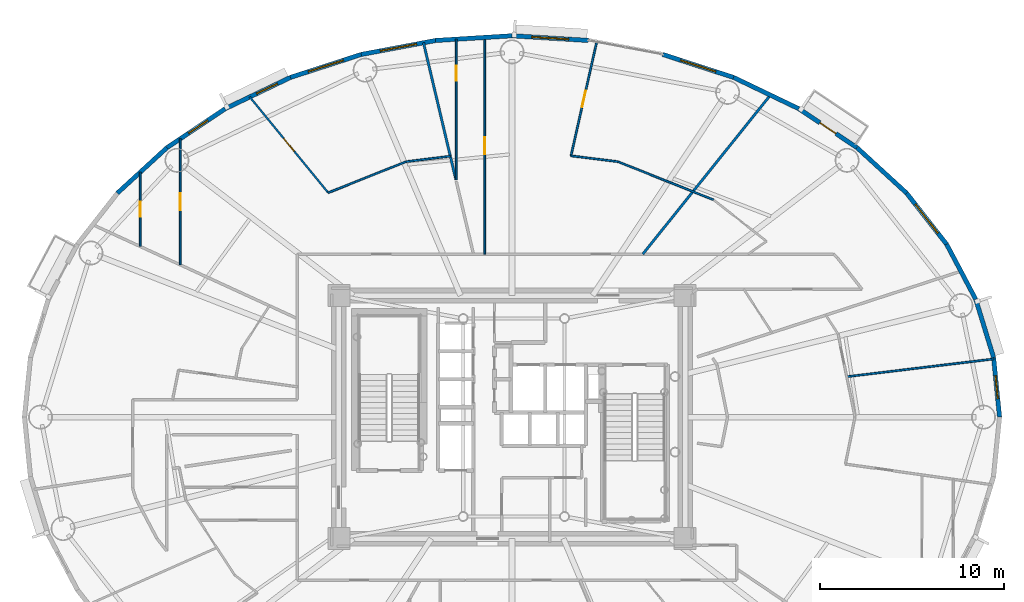
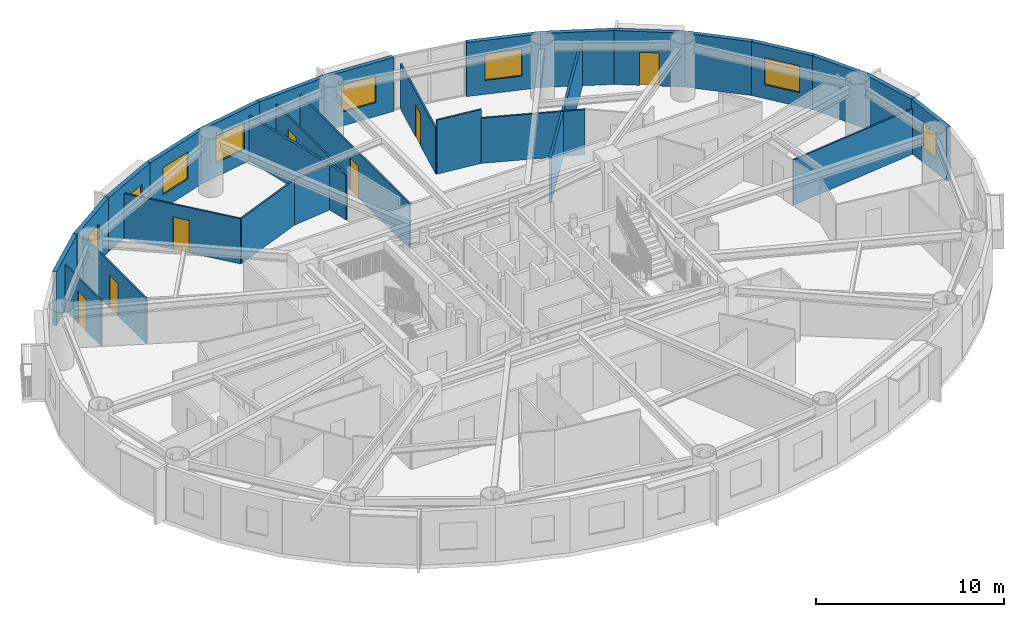
# One storey, part 12 of 20: 28 walls, 8 windows, 7 doors, 15 openings.
"""IFC4 building model written with IfcOpenShell, lengths in metres."""

from ifc_helpers import new_model, si_unit, direction, frame, frame_2d, origin, origin_2d, place, context, subcontext, project, spatial, rectangle, extrude, source, transform, mapped, material, layer, layer_set, type_object, element, fill, save


model = new_model("IFC4")

# Units and contexts
model_context = context("Model", 3, precision=1e-05, world=origin(), true_north=direction((0.0, 1.0)))
body_context = subcontext(model_context, "Body", "Model", "MODEL_VIEW")
ifc_project = project(units=[si_unit("LENGTHUNIT", "METRE"), si_unit("AREAUNIT", "SQUARE_METRE"), si_unit("VOLUMEUNIT", "CUBIC_METRE"), si_unit("PLANEANGLEUNIT", "RADIAN"), si_unit("MASSUNIT", "GRAM", prefix="KILO")], contexts=[model_context])

# Site, building, storey
site_placement = place(None, origin())
site = spatial("IfcSite", under=ifc_project, at=site_placement, CompositionType="ELEMENT")
building_placement = place(site_placement, origin())
building = spatial("IfcBuilding", under=site, at=building_placement, Name="Linh Dai School and Residence Tower", CompositionType="ELEMENT")
storey_placement = place(building_placement, frame((0.0, 0.0, 163.64990234375)))
storey = spatial("IfcBuildingStorey", under=building, at=storey_placement, Name="L39", CompositionType="ELEMENT", Elevation=163.64990234375)

# Wall, opening, window
ifc_material_1 = material(Name="Precast Concrete B45 (C35/45)", Category="concrete")
ifc_layer_1 = layer(ifc_material_1, 0.239990234375)
ifc_layer_set_1 = layer_set([ifc_layer_1], Name="Precast Concrete B45 (C35/45)")
wall_type_1 = type_object("IfcWallType", Name="EW-TC-240", PredefinedType="SOLIDWALL", material=ifc_layer_set_1)
wall_1_placement = place(storey_placement, frame((62.14990234375, 30.233642578125, 0.0), z_axis=(0.0, 0.0, 1.0), x_axis=(0.100061534614, -0.994981250723, 0.0)))
wall_1 = element("IfcWall", 1, at=wall_1_placement, inside=storey, type_object=wall_type_1, Name="L39 Terracotta Exterior Wall 01", PredefinedType="SOLIDWALL", context=body_context, shape_type="SweptSolid", body=[
    extrude(rectangle(XDim=3.25, YDim=0.239990234375, at=frame_2d((1.625, 0.0))), origin(), (0.0, 0.0, 1.0), 3.5),
])
opening_1_placement = place(wall_1_placement, frame((1.0, 0.0, 0.89990234375)))
opening_1 = element("IfcOpeningElement", 2, at=opening_1_placement, cuts=wall_1, Name="Opening W3", PredefinedType="OPENING", context=body_context, shape_type="SweptSolid", body=[
    extrude(rectangle(XDim=1.25, YDim=1.64990234375, at=origin_2d()), frame((0.625, 0.1298828125, 0.824951171875), z_axis=(0.0, -1.0, 0.0), x_axis=(1.0, 0.0, 0.0)), (0.0, 0.0, 1.0), 0.260009765625),
])
ifc_material_2 = material(Name="Double Low-E Insulated Glazing", Category="glass")
window_type_1 = type_object("IfcWindowType", Name="WN-RES-1250x1650", PartitioningType="SINGLE_PANEL", PredefinedType="WINDOW", material=ifc_material_2)
shared_shape_1 = source(origin(), body_context, "Body", "SweptSolid", [
    extrude(rectangle(XDim=1.25, YDim=1.64990234375, at=origin_2d()), frame((0.625, 0.030029296875, 0.824951171875), z_axis=(0.0, -1.0, 0.0), x_axis=(1.0, 0.0, 0.0)), (0.0, 0.0, 1.0), 0.06005859375),
])
window_1_placement = place(opening_1_placement, origin())
window_1 = element("IfcWindow", 3, at=window_1_placement, inside=storey, type_object=window_type_1, Name="L39 Dwelling Window U3908-BD1", OverallHeight=1.64990234375, OverallWidth=1.25, PartitioningType="SINGLE_PANEL", PredefinedType="WINDOW", context=body_context, shape_type="MappedRepresentation", body=[
    mapped(shared_shape_1, transform((0.0, 0.0, 0.0), x_axis=(1.0, 0.0, 0.0), y_axis=(0.0, 1.0, 0.0), z_axis=(0.0, 0.0, 1.0), scale=1.0)),
])
fill(opening_1, window_1)

# Walls
wall_2_placement = place(storey_placement, frame((61.1826171875, 33.388916015625, 0.0), z_axis=(0.0, 0.0, 1.0), x_axis=(0.293097995113, -0.956082405058, 0.0)))
element("IfcWall", 4, at=wall_2_placement, inside=storey, type_object=wall_type_1, Name="L39 Terracotta Exterior Wall 02", PredefinedType="SOLIDWALL", context=body_context, shape_type="SweptSolid", body=[
    extrude(rectangle(XDim=3.30029296875, YDim=0.239990234375, at=frame_2d((1.650146484375, 0.0))), origin(), (0.0, 0.0, 1.0), 3.5),
])
wall_3_placement = place(storey_placement, frame((59.595947265625, 36.388427734375, 0.0), z_axis=(0.0, 0.0, 1.0), x_axis=(0.467586874938, -0.88394712194, 0.0)))
element("IfcWall", 5, at=wall_3_placement, inside=storey, type_object=wall_type_1, Name="L39 Terracotta Exterior Wall 03", PredefinedType="SOLIDWALL", context=body_context, shape_type="SweptSolid", body=[
    extrude(rectangle(XDim=3.393310546875, YDim=0.239990234375, at=frame_2d((1.69677734375, 0.0))), origin(), (0.0, 0.0, 1.0), 3.5),
])

# Wall, opening, window
wall_4_placement = place(storey_placement, frame((57.42822265625, 39.158447265625, 0.0), z_axis=(0.0, 0.0, 1.0), x_axis=(0.616287674549, -0.787521112224, 0.0)))
wall_4 = element("IfcWall", 6, at=wall_4_placement, inside=storey, type_object=wall_type_1, Name="L39 Terracotta Exterior Wall 04", PredefinedType="SOLIDWALL", context=body_context, shape_type="SweptSolid", body=[
    extrude(rectangle(XDim=3.517333984375, YDim=0.239990234375, at=frame_2d((1.7587890625, 0.0))), origin(), (0.0, 0.0, 1.0), 3.5),
])
opening_2_placement = place(wall_4_placement, frame((0.758544921875, 0.0, 0.89990234375)))
opening_2 = element("IfcOpeningElement", 7, at=opening_2_placement, cuts=wall_4, Name="Opening W1", PredefinedType="OPENING", context=body_context, shape_type="SweptSolid", body=[
    extrude(rectangle(XDim=2.0, YDim=1.75, at=origin_2d()), frame((1.0, 0.1298828125, 0.875), z_axis=(0.0, -1.0, 0.0), x_axis=(1.0, 0.0, 0.0)), (0.0, 0.0, 1.0), 0.260009765625),
])
window_type_2 = type_object("IfcWindowType", Name="WN-RES-2000x1750", PartitioningType="DOUBLE_PANEL_VERTICAL", PredefinedType="WINDOW", material=ifc_material_2)
shared_shape_2 = source(origin(), body_context, "Body", "SweptSolid", [
    extrude(rectangle(XDim=2.0, YDim=1.75, at=origin_2d()), frame((1.0, 0.030029296875, 0.875), z_axis=(0.0, -1.0, 0.0), x_axis=(1.0, 0.0, 0.0)), (0.0, 0.0, 1.0), 0.06005859375),
])
window_2_placement = place(opening_2_placement, origin())
window_2 = element("IfcWindow", 8, at=window_2_placement, inside=storey, type_object=window_type_2, Name="L39 Exterior Window 04.1", OverallHeight=1.75, OverallWidth=2.0, PartitioningType="DOUBLE_PANEL_VERTICAL", PredefinedType="WINDOW", context=body_context, shape_type="MappedRepresentation", body=[
    mapped(shared_shape_2, transform((0.0, 0.0, 0.0), x_axis=(1.0, 0.0, 0.0), y_axis=(0.0, 1.0, 0.0), z_axis=(0.0, 0.0, 1.0), scale=1.0)),
])
fill(opening_2, window_2)

# Wall
wall_5_placement = place(storey_placement, frame((54.73193359375, 41.630615234375, 0.0), z_axis=(0.0, 0.0, 1.0), x_axis=(0.737076565834, -0.675809245349, 0.0)))
element("IfcWall", 9, at=wall_5_placement, inside=storey, type_object=wall_type_1, Name="L39 Terracotta Exterior Wall 05", PredefinedType="SOLIDWALL", context=body_context, shape_type="SweptSolid", body=[
    extrude(rectangle(XDim=3.658203125, YDim=0.239990234375, at=frame_2d((1.8291015625, 0.0))), origin(), (0.0, 0.0, 1.0), 3.5),
])

# Wall, opening, door
wall_6_placement = place(storey_placement, frame((51.5732421875, 43.7431640625, 0.0), z_axis=(0.0, 0.0, 1.0), x_axis=(0.831228998277, -0.555930168657, 0.0)))
wall_6 = element("IfcWall", 10, at=wall_6_placement, inside=storey, type_object=wall_type_1, Name="L39 Terracotta Exterior Wall 06", PredefinedType="SOLIDWALL", context=body_context, shape_type="SweptSolid", body=[
    extrude(rectangle(XDim=3.800048828125, YDim=0.239990234375, at=frame_2d((1.89990234375, 0.0))), origin(), (0.0, 0.0, 1.0), 3.5),
])
opening_3_placement = place(wall_6_placement, frame((1.375, 0.0, 0.0)))
opening_3 = element("IfcOpeningElement", 11, at=opening_3_placement, cuts=wall_6, Name="Opening BD1", PredefinedType="OPENING", context=body_context, shape_type="SweptSolid", body=[
    extrude(rectangle(XDim=1.050048828125, YDim=2.14990234375, at=origin_2d()), frame((0.52490234375, 0.1298828125, 1.074951171875), z_axis=(0.0, -1.0, 0.0), x_axis=(1.0, 0.0, 0.0)), (0.0, 0.0, 1.0), 0.260009765625),
])
ifc_material_3 = material(Name="Double-Glazed Balcony Door", Category="glass")
door_type_1 = type_object("IfcDoorType", Name="DR-BALC-1050x2150", OperationType="NOTDEFINED", PredefinedType="DOOR", material=ifc_material_3)
shared_shape_3 = source(origin(), body_context, "Body", "SweptSolid", [
    extrude(rectangle(XDim=1.050048828125, YDim=2.14990234375, at=origin_2d()), frame((0.52490234375, 0.02490234375, 1.074951171875), z_axis=(0.0, -1.0, 0.0), x_axis=(1.0, 0.0, 0.0)), (0.0, 0.0, 1.0), 0.050048828125),
])
door_1_placement = place(opening_3_placement, origin())
door_1 = element("IfcDoor", 12, at=door_1_placement, inside=storey, type_object=door_type_1, Name="L39 Glazed Balcony Door 06", OperationType="SINGLE_SWING_LEFT", OverallHeight=2.14990234375, OverallWidth=1.050048828125, PredefinedType="DOOR", context=body_context, shape_type="MappedRepresentation", body=[
    mapped(shared_shape_3, transform((0.0, 0.0, 0.0), x_axis=(1.0, 0.0, 0.0), y_axis=(0.0, 1.0, 0.0), z_axis=(0.0, 0.0, 1.0), scale=1.0)),
])
fill(opening_3, door_1)

# Wall
wall_7_placement = place(storey_placement, frame((48.02978515625, 45.443603515625, 0.0), z_axis=(0.0, 0.0, 1.0), x_axis=(0.901564733809, -0.432644231155, 0.0)))
element("IfcWall", 13, at=wall_7_placement, inside=storey, type_object=wall_type_1, Name="L39 Terracotta Exterior Wall 07", PredefinedType="SOLIDWALL", context=body_context, shape_type="SweptSolid", body=[
    extrude(rectangle(XDim=3.930419921875, YDim=0.239990234375, at=frame_2d((1.96533203125, 0.0))), origin(), (0.0, 0.0, 1.0), 3.5),
])

# Wall, opening, window
wall_8_placement = place(storey_placement, frame((44.18896484375, 46.689453125, 0.0), z_axis=(0.0, 0.0, 1.0), x_axis=(0.951209870236, -0.30854462038, 0.0)))
wall_8 = element("IfcWall", 14, at=wall_8_placement, inside=storey, type_object=wall_type_1, Name="L39 Terracotta Exterior Wall 08", PredefinedType="SOLIDWALL", context=body_context, shape_type="SweptSolid", body=[
    extrude(rectangle(XDim=4.037841796875, YDim=0.239990234375, at=frame_2d((2.01904296875, 0.0))), origin(), (0.0, 0.0, 1.0), 3.5),
])
opening_4_placement = place(wall_8_placement, frame((1.018798828125, 0.0, 0.89990234375)))
opening_4 = element("IfcOpeningElement", 15, at=opening_4_placement, cuts=wall_8, Name="Opening W1", PredefinedType="OPENING", context=body_context, shape_type="SweptSolid", body=[
    extrude(rectangle(XDim=2.0, YDim=1.75, at=origin_2d()), frame((1.0, 0.1298828125, 0.875), z_axis=(0.0, -1.0, 0.0), x_axis=(1.0, 0.0, 0.0)), (0.0, 0.0, 1.0), 0.260009765625),
])
window_3_placement = place(opening_4_placement, origin())
window_3 = element("IfcWindow", 16, at=window_3_placement, inside=storey, type_object=window_type_2, Name="L39 Exterior Window 08.1", OverallHeight=1.75, OverallWidth=2.0, PartitioningType="DOUBLE_PANEL_VERTICAL", PredefinedType="WINDOW", context=body_context, shape_type="MappedRepresentation", body=[
    mapped(shared_shape_2, transform((0.0, 0.0, 0.0), x_axis=(1.0, 0.0, 0.0), y_axis=(0.0, 1.0, 0.0), z_axis=(0.0, 0.0, 1.0), scale=1.0)),
])
fill(opening_4, window_3)

wall_9_placement = place(storey_placement, frame((36.0, 47.705078125, 0.0), z_axis=(0.0, 0.0, 1.0), x_axis=(0.998104600619, -0.061540281305, 0.0)))
wall_9 = element("IfcWall", 17, at=wall_9_placement, inside=storey, type_object=wall_type_1, Name="L39 Terracotta Exterior Wall 10", PredefinedType="SOLIDWALL", context=body_context, shape_type="SweptSolid", body=[
    extrude(rectangle(XDim=4.153564453125, YDim=0.239990234375, at=frame_2d((2.07666015625, 0.0))), origin(), (0.0, 0.0, 1.0), 3.5),
])
opening_5_placement = place(wall_9_placement, frame((1.076904296875, 0.0, 0.89990234375)))
opening_5 = element("IfcOpeningElement", 18, at=opening_5_placement, cuts=wall_9, Name="Opening W1", PredefinedType="OPENING", context=body_context, shape_type="SweptSolid", body=[
    extrude(rectangle(XDim=2.0, YDim=1.75, at=origin_2d()), frame((1.0, 0.1298828125, 0.875), z_axis=(0.0, -1.0, 0.0), x_axis=(1.0, 0.0, 0.0)), (0.0, 0.0, 1.0), 0.260009765625),
])
window_4_placement = place(opening_5_placement, origin())
window_4 = element("IfcWindow", 19, at=window_4_placement, inside=storey, type_object=window_type_2, Name="L39 Exterior Window 10.1", OverallHeight=1.75, OverallWidth=2.0, PartitioningType="DOUBLE_PANEL_VERTICAL", PredefinedType="WINDOW", context=body_context, shape_type="MappedRepresentation", body=[
    mapped(shared_shape_2, transform((0.0, 0.0, 0.0), x_axis=(1.0, 0.0, 0.0), y_axis=(0.0, 1.0, 0.0), z_axis=(0.0, 0.0, 1.0), scale=1.0)),
])
fill(opening_5, window_4)

# Wall
wall_10_placement = place(storey_placement, frame((31.854248046875, 47.449462890625, 0.0), z_axis=(0.0, 0.0, 1.0), x_axis=(0.998104600619, 0.061540281305, 0.0)))
element("IfcWall", 20, at=wall_10_placement, inside=storey, type_object=wall_type_1, Name="L39 Terracotta Exterior Wall 11", PredefinedType="SOLIDWALL", context=body_context, shape_type="SweptSolid", body=[
    extrude(rectangle(XDim=4.153564453125, YDim=0.239990234375, at=frame_2d((2.07666015625, 0.0))), origin(), (0.0, 0.0, 1.0), 3.5),
])

# Wall, opening, window
wall_11_placement = place(storey_placement, frame((27.81103515625, 46.689453125, 0.0), z_axis=(0.0, 0.0, 1.0), x_axis=(0.982788108205, 0.184736391573, 0.0)))
wall_11 = element("IfcWall", 21, at=wall_11_placement, inside=storey, type_object=wall_type_1, Name="L39 Terracotta Exterior Wall 12", PredefinedType="SOLIDWALL", context=body_context, shape_type="SweptSolid", body=[
    extrude(rectangle(XDim=4.114013671875, YDim=0.239990234375, at=frame_2d((2.05712890625, 0.0))), origin(), (0.0, 0.0, 1.0), 3.5),
])
opening_6_placement = place(wall_11_placement, frame((1.05712890625, 0.0, 0.89990234375)))
opening_6 = element("IfcOpeningElement", 22, at=opening_6_placement, cuts=wall_11, Name="Opening W1", PredefinedType="OPENING", context=body_context, shape_type="SweptSolid", body=[
    extrude(rectangle(XDim=2.0, YDim=1.75, at=origin_2d()), frame((1.0, 0.1298828125, 0.875), z_axis=(0.0, -1.0, 0.0), x_axis=(1.0, 0.0, 0.0)), (0.0, 0.0, 1.0), 0.260009765625),
])
window_5_placement = place(opening_6_placement, origin())
window_5 = element("IfcWindow", 23, at=window_5_placement, inside=storey, type_object=window_type_2, Name="L39 Exterior Window 12.1", OverallHeight=1.75, OverallWidth=2.0, PartitioningType="DOUBLE_PANEL_VERTICAL", PredefinedType="WINDOW", context=body_context, shape_type="MappedRepresentation", body=[
    mapped(shared_shape_2, transform((0.0, 0.0, 0.0), x_axis=(1.0, 0.0, 0.0), y_axis=(0.0, 1.0, 0.0), z_axis=(0.0, 0.0, 1.0), scale=1.0)),
])
fill(opening_6, window_5)

wall_12_placement = place(storey_placement, frame((23.97021484375, 45.443603515625, 0.0), z_axis=(0.0, 0.0, 1.0), x_axis=(0.951209870236, 0.30854462038, 0.0)))
wall_12 = element("IfcWall", 24, at=wall_12_placement, inside=storey, type_object=wall_type_1, Name="L39 Terracotta Exterior Wall 13", PredefinedType="SOLIDWALL", context=body_context, shape_type="SweptSolid", body=[
    extrude(rectangle(XDim=4.037841796875, YDim=0.239990234375, at=frame_2d((2.01904296875, 0.0))), origin(), (0.0, 0.0, 1.0), 3.5),
])
opening_7_placement = place(wall_12_placement, frame((1.01904296875, 0.0, 0.89990234375)))
opening_7 = element("IfcOpeningElement", 25, at=opening_7_placement, cuts=wall_12, Name="Opening W1", PredefinedType="OPENING", context=body_context, shape_type="SweptSolid", body=[
    extrude(rectangle(XDim=2.0, YDim=1.75, at=origin_2d()), frame((1.0, 0.1298828125, 0.875), z_axis=(0.0, -1.0, 0.0), x_axis=(1.0, 0.0, 0.0)), (0.0, 0.0, 1.0), 0.260009765625),
])
window_6_placement = place(opening_7_placement, origin())
window_6 = element("IfcWindow", 26, at=window_6_placement, inside=storey, type_object=window_type_2, Name="L39 Exterior Window 13.1", OverallHeight=1.75, OverallWidth=2.0, PartitioningType="DOUBLE_PANEL_VERTICAL", PredefinedType="WINDOW", context=body_context, shape_type="MappedRepresentation", body=[
    mapped(shared_shape_2, transform((0.0, 0.0, 0.0), x_axis=(1.0, 0.0, 0.0), y_axis=(0.0, 1.0, 0.0), z_axis=(0.0, 0.0, 1.0), scale=1.0)),
])
fill(opening_7, window_6)

wall_13_placement = place(storey_placement, frame((20.4267578125, 43.7431640625, 0.0), z_axis=(0.0, 0.0, 1.0), x_axis=(0.901564733809, 0.432644231155, 0.0)))
wall_13 = element("IfcWall", 27, at=wall_13_placement, inside=storey, type_object=wall_type_1, Name="L39 Terracotta Exterior Wall 14", PredefinedType="SOLIDWALL", context=body_context, shape_type="SweptSolid", body=[
    extrude(rectangle(XDim=3.930419921875, YDim=0.239990234375, at=frame_2d((1.96533203125, 0.0))), origin(), (0.0, 0.0, 1.0), 3.5),
])
opening_8_placement = place(wall_13_placement, frame((1.900390625, 0.0, 0.89990234375)))
opening_8 = element("IfcOpeningElement", 28, at=opening_8_placement, cuts=wall_13, Name="Opening W3", PredefinedType="OPENING", context=body_context, shape_type="SweptSolid", body=[
    extrude(rectangle(XDim=1.25, YDim=1.64990234375, at=origin_2d()), frame((0.625, 0.1298828125, 0.824951171875), z_axis=(0.0, -1.0, 0.0), x_axis=(1.0, 0.0, 0.0)), (0.0, 0.0, 1.0), 0.260009765625),
])
window_7_placement = place(opening_8_placement, origin())
window_7 = element("IfcWindow", 29, at=window_7_placement, inside=storey, type_object=window_type_1, Name="L39 Exterior Window 14.1", OverallHeight=1.64990234375, OverallWidth=1.25, PartitioningType="SINGLE_PANEL", PredefinedType="WINDOW", context=body_context, shape_type="MappedRepresentation", body=[
    mapped(shared_shape_1, transform((0.0, 0.0, 0.0), x_axis=(1.0, 0.0, 0.0), y_axis=(0.0, 1.0, 0.0), z_axis=(0.0, 0.0, 1.0), scale=1.0)),
])
fill(opening_8, window_7)

wall_14_placement = place(storey_placement, frame((17.26806640625, 41.630615234375, 0.0), z_axis=(0.0, 0.0, 1.0), x_axis=(0.831228998277, 0.555930168657, 0.0)))
wall_14 = element("IfcWall", 30, at=wall_14_placement, inside=storey, type_object=wall_type_1, Name="L39 Terracotta Exterior Wall 15", PredefinedType="SOLIDWALL", context=body_context, shape_type="SweptSolid", body=[
    extrude(rectangle(XDim=3.800048828125, YDim=0.239990234375, at=frame_2d((1.89990234375, 0.0))), origin(), (0.0, 0.0, 1.0), 3.5),
])
opening_9_placement = place(wall_14_placement, frame((1.4052734375, 0.0, 0.89990234375)))
opening_9 = element("IfcOpeningElement", 31, at=opening_9_placement, cuts=wall_14, Name="Opening W3", PredefinedType="OPENING", context=body_context, shape_type="SweptSolid", body=[
    extrude(rectangle(XDim=1.25, YDim=1.64990234375, at=origin_2d()), frame((0.625, 0.1298828125, 0.824951171875), z_axis=(0.0, -1.0, 0.0), x_axis=(1.0, 0.0, 0.0)), (0.0, 0.0, 1.0), 0.260009765625),
])
window_8_placement = place(opening_9_placement, origin())
window_8 = element("IfcWindow", 32, at=window_8_placement, inside=storey, type_object=window_type_1, Name="L39 Dwelling Window U3903-LIV", OverallHeight=1.64990234375, OverallWidth=1.25, PartitioningType="SINGLE_PANEL", PredefinedType="WINDOW", context=body_context, shape_type="MappedRepresentation", body=[
    mapped(shared_shape_1, transform((0.0, 0.0, 0.0), x_axis=(1.0, 0.0, 0.0), y_axis=(0.0, 1.0, 0.0), z_axis=(0.0, 0.0, 1.0), scale=1.0)),
])
fill(opening_9, window_8)

# Walls
wall_15_placement = place(storey_placement, frame((14.57177734375, 39.158447265625, 0.0), z_axis=(0.0, 0.0, 1.0), x_axis=(0.737076565834, 0.675809245349, 0.0)))
element("IfcWall", 33, at=wall_15_placement, inside=storey, type_object=wall_type_1, Name="L39 Terracotta Exterior Wall 16", PredefinedType="SOLIDWALL", context=body_context, shape_type="SweptSolid", body=[
    extrude(rectangle(XDim=3.658203125, YDim=0.239990234375, at=frame_2d((1.8291015625, 0.0))), origin(), (0.0, 0.0, 1.0), 3.5),
])
ifc_material_4 = material(Name="Autoclaved Aerated Concrete Blockwork", Category="masonry")
ifc_layer_2 = layer(ifc_material_4, 0.135009765625)
ifc_layer_set_2 = layer_set([ifc_layer_2], Name="Autoclaved Aerated Concrete Blockwork")
wall_type_2 = type_object("IfcWallType", Name="IW-CORR-135-EI90", PredefinedType="PARTITIONING", material=ifc_layer_set_2)
wall_16_placement = place(storey_placement, frame((31.193603515625, 47.330322265625, 0.0), z_axis=(0.0, 0.0, 1.0), x_axis=(0.230064999041, -0.973175264902, 0.0)))
element("IfcWall", 34, at=wall_16_placement, inside=storey, type_object=wall_type_2, Name="L39 Interior Partition Wall 035", PredefinedType="PARTITIONING", context=body_context, shape_type="SweptSolid", body=[
    extrude(rectangle(XDim=7.654296875, YDim=0.135009765625, at=frame_2d((3.8271484375, 0.0))), origin(), (0.0, 0.0, 1.0), 2.93505859375),
])
wall_17_placement = place(storey_placement, frame((43.10205078125, 35.85009765625, 0.0), z_axis=(0.0, 0.0, 1.0), x_axis=(0.62588794771, 0.779912993168, 0.0)))
element("IfcWall", 35, at=wall_17_placement, inside=storey, type_object=wall_type_2, Name="L39 Interior Partition Wall 078", PredefinedType="PARTITIONING", context=body_context, shape_type="SweptSolid", body=[
    extrude(rectangle(XDim=11.074951171875, YDim=0.135009765625, at=frame_2d((5.53759765625, 0.0))), origin(), (0.0, 0.0, 1.0), 2.93505859375),
])

# Wall, opening, door
ifc_material_5 = material(Name="Gypsum Plasterboard Acoustic Stud Partition", Category="masonry")
ifc_layer_3 = layer(ifc_material_5, 0.10009765625)
ifc_layer_set_3 = layer_set([ifc_layer_3], Name="Gypsum Plasterboard Acoustic Stud Partition")
wall_type_3 = type_object("IfcWallType", Name="IW-UNIT-100", PredefinedType="PARTITIONING", material=ifc_layer_set_3)
wall_18_placement = place(storey_placement, frame((15.81494140625, 36.262939453125, 0.0), z_axis=(0.0, 0.0, 1.0), x_axis=(0.0, 1.0, 0.0)))
wall_18 = element("IfcWall", 36, at=wall_18_placement, inside=storey, type_object=wall_type_3, Name="L39 Interior Partition Wall 008", PredefinedType="PARTITIONING", context=body_context, shape_type="SweptSolid", body=[
    extrude(rectangle(XDim=4.0419921875, YDim=0.10009765625, at=frame_2d((2.02099609375, 0.0))), origin(), (0.0, 0.0, 1.0), 2.93505859375),
])
opening_10_placement = place(wall_18_placement, frame((1.611083984375, 0.0, 0.0)))
opening_10 = element("IfcOpeningElement", 37, at=opening_10_placement, cuts=wall_18, Name="Opening D06", PredefinedType="OPENING", context=body_context, shape_type="SweptSolid", body=[
    extrude(rectangle(XDim=0.820068359375, YDim=2.10009765625, at=origin_2d()), frame((0.41015625, 0.06005859375, 1.050048828125), z_axis=(0.0, -1.0, 0.0), x_axis=(1.0, 0.0, 0.0)), (0.0, 0.0, 1.0), 0.1201171875),
])
ifc_material_6 = material(Name="Moisture-Resistant Timber Bathroom Door", Category="wood")
door_type_2 = type_object("IfcDoorType", Name="DR-WET-820x2100", OperationType="NOTDEFINED", PredefinedType="DOOR", material=ifc_material_6)
shared_shape_4 = source(origin(), body_context, "Body", "SweptSolid", [
    extrude(rectangle(XDim=0.820068359375, YDim=2.10009765625, at=origin_2d()), frame((0.41015625, 0.02490234375, 1.050048828125), z_axis=(0.0, -1.0, 0.0), x_axis=(1.0, 0.0, 0.0)), (0.0, 0.0, 1.0), 0.050048828125),
])
door_2_placement = place(opening_10_placement, origin())
door_2 = element("IfcDoor", 38, at=door_2_placement, inside=storey, type_object=door_type_2, Name="L39 Apartment U3903 Bathroom 1 Door", OperationType="SINGLE_SWING_RIGHT", OverallHeight=2.10009765625, OverallWidth=0.820068359375, PredefinedType="DOOR", context=body_context, shape_type="MappedRepresentation", body=[
    mapped(shared_shape_4, transform((0.0, 0.0, 0.0), x_axis=(1.0, 0.0, 0.0), y_axis=(0.0, 1.0, 0.0), z_axis=(0.0, 0.0, 1.0), scale=1.0)),
])
fill(opening_10, door_2)

wall_19_placement = place(storey_placement, frame((17.984375, 35.267333984375, 0.0), z_axis=(0.0, 0.0, 1.0), x_axis=(0.0, 1.0, 0.0)))
wall_19 = element("IfcWall", 39, at=wall_19_placement, inside=storey, type_object=wall_type_3, Name="L39 Interior Partition Wall 015", PredefinedType="PARTITIONING", context=body_context, shape_type="SweptSolid", body=[
    extrude(rectangle(XDim=6.848388671875, YDim=0.10009765625, at=frame_2d((3.42431640625, 0.0))), origin(), (0.0, 0.0, 1.0), 2.93505859375),
])
opening_11_placement = place(wall_19_placement, frame((2.97412109375, 0.0, 0.0)))
opening_11 = element("IfcOpeningElement", 40, at=opening_11_placement, cuts=wall_19, Name="Opening D05", PredefinedType="OPENING", context=body_context, shape_type="SweptSolid", body=[
    extrude(rectangle(XDim=0.89990234375, YDim=2.10009765625, at=origin_2d()), frame((0.449951171875, 0.06005859375, 1.050048828125), z_axis=(0.0, -1.0, 0.0), x_axis=(1.0, 0.0, 0.0)), (0.0, 0.0, 1.0), 0.1201171875),
])
ifc_material_7 = material(Name="Engineered Timber Internal Door", Category="wood")
door_type_3 = type_object("IfcDoorType", Name="DR-INT-900x2100", OperationType="NOTDEFINED", PredefinedType="DOOR", material=ifc_material_7)
shared_shape_5 = source(origin(), body_context, "Body", "SweptSolid", [
    extrude(rectangle(XDim=0.89990234375, YDim=2.10009765625, at=origin_2d()), frame((0.449951171875, 0.02490234375, 1.050048828125), z_axis=(0.0, -1.0, 0.0), x_axis=(1.0, 0.0, 0.0)), (0.0, 0.0, 1.0), 0.050048828125),
])
door_3_placement = place(opening_11_placement, origin())
door_3 = element("IfcDoor", 41, at=door_3_placement, inside=storey, type_object=door_type_3, Name="L39 Apartment U3903 Kitchen Door", OperationType="SINGLE_SWING_LEFT", OverallHeight=2.10009765625, OverallWidth=0.89990234375, PredefinedType="DOOR", context=body_context, shape_type="MappedRepresentation", body=[
    mapped(shared_shape_5, transform((0.0, 0.0, 0.0), x_axis=(1.0, 0.0, 0.0), y_axis=(0.0, 1.0, 0.0), z_axis=(0.0, 0.0, 1.0), scale=1.0)),
])
fill(opening_11, door_3)

wall_20_placement = place(storey_placement, frame((21.75634765625, 44.38671875, 0.0), z_axis=(0.0, 0.0, 1.0), x_axis=(0.633727642201, -0.773556252325, 0.0)))
wall_20 = element("IfcWall", 42, at=wall_20_placement, inside=storey, type_object=wall_type_3, Name="L39 Interior Partition Wall 022", PredefinedType="PARTITIONING", context=body_context, shape_type="SweptSolid", body=[
    extrude(rectangle(XDim=6.72900390625, YDim=0.10009765625, at=frame_2d((3.364501953125, 0.0))), origin(), (0.0, 0.0, 1.0), 2.93505859375),
])
opening_12_placement = place(wall_20_placement, frame((2.91455078125, 0.0, 0.0)))
opening_12 = element("IfcOpeningElement", 43, at=opening_12_placement, cuts=wall_20, Name="Opening D05", PredefinedType="OPENING", context=body_context, shape_type="SweptSolid", body=[
    extrude(rectangle(XDim=0.89990234375, YDim=2.10009765625, at=origin_2d()), frame((0.449951171875, 0.06005859375, 1.050048828125), z_axis=(0.0, -1.0, 0.0), x_axis=(1.0, 0.0, 0.0)), (0.0, 0.0, 1.0), 0.1201171875),
])
door_4_placement = place(opening_12_placement, origin())
door_4 = element("IfcDoor", 44, at=door_4_placement, inside=storey, type_object=door_type_3, Name="L39 Apartment U3903 Principal Bedroom 1 Door", OperationType="SINGLE_SWING_RIGHT", OverallHeight=2.10009765625, OverallWidth=0.89990234375, PredefinedType="DOOR", context=body_context, shape_type="MappedRepresentation", body=[
    mapped(shared_shape_5, transform((0.0, 0.0, 0.0), x_axis=(1.0, 0.0, 0.0), y_axis=(0.0, 1.0, 0.0), z_axis=(0.0, 0.0, 1.0), scale=1.0)),
])
fill(opening_12, door_4)

# Walls
wall_21_placement = place(storey_placement, frame((26.020751953125, 39.181396484375, 0.0), z_axis=(0.0, 0.0, 1.0), x_axis=(0.928787254853, 0.37061332305, 0.0)))
element("IfcWall", 45, at=wall_21_placement, inside=storey, type_object=wall_type_3, Name="L39 Interior Partition Wall 028", PredefinedType="PARTITIONING", context=body_context, shape_type="SweptSolid", body=[
    extrude(rectangle(XDim=4.54931640625, YDim=0.10009765625, at=frame_2d((2.274658203125, 0.0))), origin(), (0.0, 0.0, 1.0), 2.93505859375),
])
wall_22_placement = place(storey_placement, frame((30.24609375, 40.867431640625, 0.0), z_axis=(0.0, 0.0, 1.0), x_axis=(0.99240598239, 0.123005553192, 0.0)))
element("IfcWall", 46, at=wall_22_placement, inside=storey, type_object=wall_type_3, Name="L39 Interior Partition Wall 032", PredefinedType="PARTITIONING", context=body_context, shape_type="SweptSolid", body=[
    extrude(rectangle(XDim=2.42333984375, YDim=0.10009765625, at=frame_2d((1.211669921875, 0.0))), origin(), (0.0, 0.0, 1.0), 2.93505859375),
])

# Wall, opening, door
wall_23_placement = place(storey_placement, frame((32.975830078125, 39.884033203125, 0.0), z_axis=(0.0, 0.0, 1.0), x_axis=(0.0, 1.0, 0.0)))
wall_23 = element("IfcWall", 47, at=wall_23_placement, inside=storey, type_object=wall_type_3, Name="L39 Interior Partition Wall 044", PredefinedType="PARTITIONING", context=body_context, shape_type="SweptSolid", body=[
    extrude(rectangle(XDim=7.6396484375, YDim=0.10009765625, at=frame_2d((3.81982421875, 0.0))), origin(), (0.0, 0.0, 1.0), 2.93505859375),
])
opening_13_placement = place(wall_23_placement, frame((5.3837890625, 0.0, 0.0)))
opening_13 = element("IfcOpeningElement", 48, at=opening_13_placement, cuts=wall_23, Name="Opening D06", PredefinedType="OPENING", context=body_context, shape_type="SweptSolid", body=[
    extrude(rectangle(XDim=0.820068359375, YDim=2.10009765625, at=origin_2d()), frame((0.41015625, 0.06005859375, 1.050048828125), z_axis=(0.0, -1.0, 0.0), x_axis=(1.0, 0.0, 0.0)), (0.0, 0.0, 1.0), 0.1201171875),
])
door_5_placement = place(opening_13_placement, origin())
door_5 = element("IfcDoor", 49, at=door_5_placement, inside=storey, type_object=door_type_2, Name="L39 Apartment U3902 Bathroom 1 Door", OperationType="SINGLE_SWING_RIGHT", OverallHeight=2.10009765625, OverallWidth=0.820068359375, PredefinedType="DOOR", context=body_context, shape_type="MappedRepresentation", body=[
    mapped(shared_shape_4, transform((0.0, 0.0, 0.0), x_axis=(1.0, 0.0, 0.0), y_axis=(0.0, 1.0, 0.0), z_axis=(0.0, 0.0, 1.0), scale=1.0)),
])
fill(opening_13, door_5)

wall_24_placement = place(storey_placement, frame((34.517578125, 35.85009765625, 0.0), z_axis=(0.0, 0.0, 1.0), x_axis=(0.0, 1.0, 0.0)))
wall_24 = element("IfcWall", 50, at=wall_24_placement, inside=storey, type_object=wall_type_3, Name="L39 Interior Partition Wall 046", PredefinedType="PARTITIONING", context=body_context, shape_type="SweptSolid", body=[
    extrude(rectangle(XDim=11.7685546875, YDim=0.10009765625, at=frame_2d((5.88427734375, 0.0))), origin(), (0.0, 0.0, 1.0), 2.93505859375),
])
opening_14_placement = place(wall_24_placement, frame((5.434326171875, 0.0, 0.0)))
opening_14 = element("IfcOpeningElement", 51, at=opening_14_placement, cuts=wall_24, Name="Opening D05", PredefinedType="OPENING", context=body_context, shape_type="SweptSolid", body=[
    extrude(rectangle(XDim=0.89990234375, YDim=2.10009765625, at=origin_2d()), frame((0.449951171875, 0.06005859375, 1.050048828125), z_axis=(0.0, -1.0, 0.0), x_axis=(1.0, 0.0, 0.0)), (0.0, 0.0, 1.0), 0.1201171875),
])
door_6_placement = place(opening_14_placement, origin())
door_6 = element("IfcDoor", 52, at=door_6_placement, inside=storey, type_object=door_type_3, Name="L39 Apartment U3902 Kitchen Door", OperationType="SINGLE_SWING_LEFT", OverallHeight=2.10009765625, OverallWidth=0.89990234375, PredefinedType="DOOR", context=body_context, shape_type="MappedRepresentation", body=[
    mapped(shared_shape_5, transform((0.0, 0.0, 0.0), x_axis=(1.0, 0.0, 0.0), y_axis=(0.0, 1.0, 0.0), z_axis=(0.0, 0.0, 1.0), scale=1.0)),
])
fill(opening_14, door_6)

wall_25_placement = place(storey_placement, frame((39.202392578125, 41.183837890625, 0.0), z_axis=(0.0, 0.0, 1.0), x_axis=(0.220223056883, 0.975449540067, 0.0)))
wall_25 = element("IfcWall", 53, at=wall_25_placement, inside=storey, type_object=wall_type_3, Name="L39 Interior Partition Wall 067", PredefinedType="PARTITIONING", context=body_context, shape_type="SweptSolid", body=[
    extrude(rectangle(XDim=6.34130859375, YDim=0.10009765625, at=frame_2d((3.170654296875, 0.0))), origin(), (0.0, 0.0, 1.0), 2.93505859375),
])
opening_15_placement = place(wall_25_placement, frame((2.720703125, 0.0, 0.0)))
opening_15 = element("IfcOpeningElement", 54, at=opening_15_placement, cuts=wall_25, Name="Opening D05", PredefinedType="OPENING", context=body_context, shape_type="SweptSolid", body=[
    extrude(rectangle(XDim=0.89990234375, YDim=2.10009765625, at=origin_2d()), frame((0.449951171875, 0.06005859375, 1.050048828125), z_axis=(0.0, -1.0, 0.0), x_axis=(1.0, 0.0, 0.0)), (0.0, 0.0, 1.0), 0.1201171875),
])
door_7_placement = place(opening_15_placement, origin())
door_7 = element("IfcDoor", 55, at=door_7_placement, inside=storey, type_object=door_type_3, Name="L39 Apartment U3902 Principal Bedroom 1 Door", OperationType="SINGLE_SWING_RIGHT", OverallHeight=2.10009765625, OverallWidth=0.89990234375, PredefinedType="DOOR", context=body_context, shape_type="MappedRepresentation", body=[
    mapped(shared_shape_5, transform((0.0, 0.0, 0.0), x_axis=(1.0, 0.0, 0.0), y_axis=(0.0, 1.0, 0.0), z_axis=(0.0, 0.0, 1.0), scale=1.0)),
])
fill(opening_15, door_7)

# Walls
wall_26_placement = place(storey_placement, frame((39.202392578125, 41.183837890625, 0.0), z_axis=(0.0, 0.0, 1.0), x_axis=(0.992398655735, -0.123064650065, 0.0)))
element("IfcWall", 56, at=wall_26_placement, inside=storey, type_object=wall_type_3, Name="L39 Interior Partition Wall 068", PredefinedType="PARTITIONING", context=body_context, shape_type="SweptSolid", body=[
    extrude(rectangle(XDim=2.571044921875, YDim=0.10009765625, at=frame_2d((1.28564453125, 0.0))), origin(), (0.0, 0.0, 1.0), 3.5),
])
wall_27_placement = place(storey_placement, frame((41.75390625, 40.867431640625, 0.0), z_axis=(0.0, 0.0, 1.0), x_axis=(0.928789673623, -0.370607261359, 0.0)))
element("IfcWall", 57, at=wall_27_placement, inside=storey, type_object=wall_type_3, Name="L39 Interior Partition Wall 076", PredefinedType="PARTITIONING", context=body_context, shape_type="SweptSolid", body=[
    extrude(rectangle(XDim=5.5888671875, YDim=0.10009765625, at=frame_2d((2.79443359375, 0.0))), origin(), (0.0, 0.0, 1.0), 2.93505859375),
])
wall_28_placement = place(storey_placement, frame((54.176513671875, 29.192626953125, 0.0), z_axis=(0.0, 0.0, 1.0), x_axis=(0.992799222866, 0.119790246168, 0.0)))
element("IfcWall", 58, at=wall_28_placement, inside=storey, type_object=wall_type_3, Name="L39 Interior Partition Wall 095", PredefinedType="PARTITIONING", context=body_context, shape_type="SweptSolid", body=[
    extrude(rectangle(XDim=8.044189453125, YDim=0.10009765625, at=frame_2d((4.02197265625, 0.0))), origin(), (0.0, 0.0, 1.0), 2.93505859375),
])

save(model, "model.ifc")
